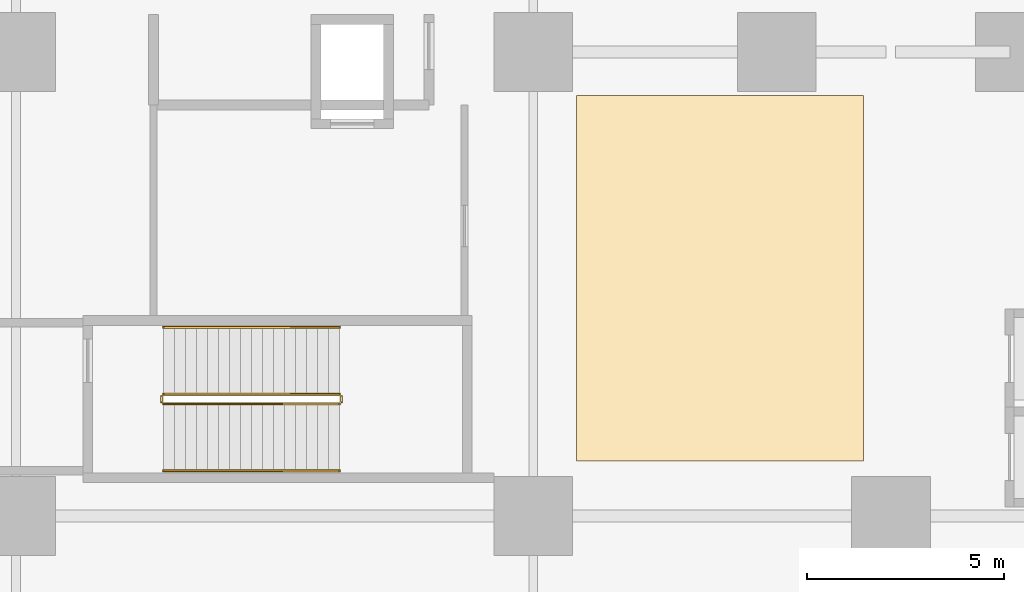
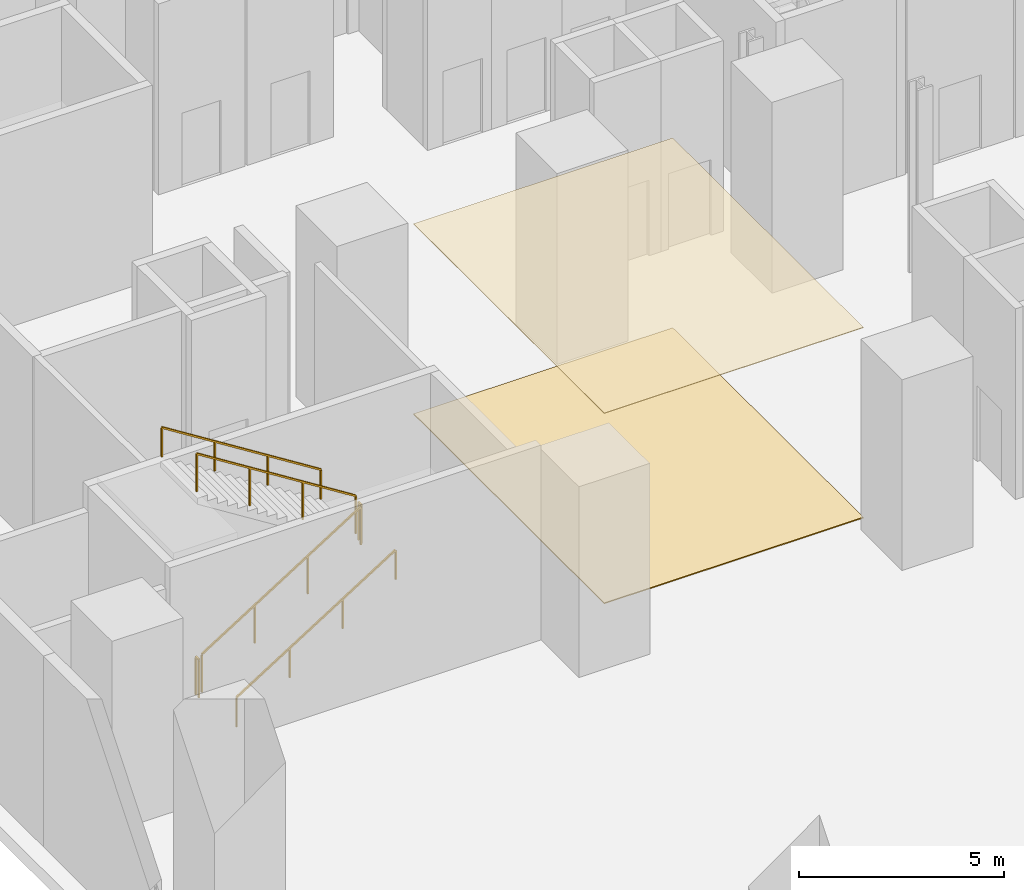
# One storey, part 19 of 25: 6 railings, 2 coverings.
"""IFC4 building model written with IfcOpenShell, lengths in metres."""

from ifc_helpers import new_model, si_unit, direction, frame, origin, origin_2d, place, context, subcontext, project, spatial, polyline, rectangle, outline, extrude, source, transform, mapped, material, layer, layer_set, type_object, element, save


model = new_model("IFC4")

# Units and contexts
model_context = context("Model", 3, precision=1e-05, world=origin(), true_north=direction((0.0, 1.0)))
body_context = subcontext(model_context, "Body", "Model", "MODEL_VIEW")
ifc_project = project(units=[si_unit("LENGTHUNIT", "METRE"), si_unit("AREAUNIT", "SQUARE_METRE"), si_unit("VOLUMEUNIT", "CUBIC_METRE"), si_unit("PLANEANGLEUNIT", "RADIAN"), si_unit("MASSUNIT", "GRAM", prefix="KILO")], contexts=[model_context])

# Site, building, storey
site_placement = place(None, origin())
site = spatial("IfcSite", under=ifc_project, at=site_placement, CompositionType="ELEMENT")
building_placement = place(site_placement, origin())
building = spatial("IfcBuilding", under=site, at=building_placement, Name="Vardaveli Station Tower", CompositionType="ELEMENT")
storey_placement = place(building_placement, origin())
storey = spatial("IfcBuildingStorey", under=building, at=storey_placement, Name="L01", CompositionType="ELEMENT", Elevation=0.0)

# Coverings
ifc_material_1 = material(Name="Perforated acoustic mineral ceiling")
ifc_layer_1 = layer(ifc_material_1, 0.02001953125, Name="Perforated acoustic mineral ceiling")
ifc_layer_set_1 = layer_set([ifc_layer_1], Name="Perforated acoustic mineral ceiling")
covering_type_1 = type_object("IfcCoveringType", Name="COV-CEIL-AC20", PredefinedType="CEILING", material=ifc_layer_set_1)
covering_1_placement = place(storey_placement, frame((0.0, 0.0, 5.6650390625)))
element("IfcCovering", 1, at=covering_1_placement, inside=storey, type_object=covering_type_1, Name="CEIL-L01-1", PredefinedType="CEILING", context=body_context, shape_type="SweptSolid", body=[
    extrude(outline(polyline([(17.5, 18.5), (24.800048828125, 18.5), (24.800048828125, 27.800048828125), (17.5, 27.800048828125), (17.5, 18.5)])), origin(), (0.0, 0.0, 1.0), 0.02001953125),
])
ifc_material_2 = material(Name="Honed Caucasian basalt and travertine flooring", Category="masonry")
ifc_layer_2 = layer(ifc_material_2, 0.030029296875, Name="Honed Caucasian basalt and travertine flooring")
ifc_layer_set_2 = layer_set([ifc_layer_2], Name="Honed Caucasian basalt and travertine flooring")
covering_type_2 = type_object("IfcCoveringType", Name="COV-FLOOR-ST30", PredefinedType="FLOORING", material=ifc_layer_set_2)
covering_2_placement = place(storey_placement, origin())
element("IfcCovering", 2, at=covering_2_placement, inside=storey, type_object=covering_type_2, Name="FLR-L01-1", PredefinedType="FLOORING", context=body_context, shape_type="SweptSolid", body=[
    extrude(outline(polyline([(17.5, 18.5), (24.800048828125, 18.5), (24.800048828125, 27.800048828125), (17.5, 27.800048828125), (17.5, 18.5)])), origin(), (0.0, 0.0, 1.0), 0.030029296875),
])

# Railings
ifc_material_3 = material(Name="Brushed AISI 316 stainless steel", Category="steel")
railing_type_1 = type_object("IfcRailingType", Name="RL-GUARD-1150", PredefinedType="GUARDRAIL", material=ifc_material_3)
shared_shape_1 = source(origin(), body_context, "Body", "SweptSolid", [
    extrude(rectangle(XDim=0.048095703125, YDim=0.048095703125, at=origin_2d()), frame((0.0, 0.0, 1.1259765625), z_axis=(0.0, 1.0, 0.0), x_axis=(-1.0, 0.0, 0.0)), (0.0, 0.0, 1.0), 0.14990234375),
    extrude(rectangle(XDim=0.0419921875, YDim=0.0419921875, at=origin_2d()), origin(), (0.0, 0.0, 1.0), 1.101806640625),
    extrude(rectangle(XDim=0.0419921875, YDim=0.0419921875, at=origin_2d()), frame((0.0, 0.14990234375, 0.0)), (0.0, 0.0, 1.0), 1.101806640625),
])
for number, where, name in (
    (3, (11.530029296875, 20.0, 3.0), "L01 ST-S1 stair guard 2"),
    (4, (6.949951171875, 20.0, 0.0), "L01 ST-S1 stair guard 4"),
):
    element("IfcRailing", number, at=place(storey_placement, frame(where)), inside=storey, type_object=railing_type_1, Name=name, PredefinedType="GUARDRAIL", context=body_context, shape_type="MappedRepresentation", body=[
        mapped(shared_shape_1, transform((0.0, 0.0, 0.0), scale=1.0)),
    ])
shared_shape_2 = source(origin(), body_context, "Body", "SweptSolid", [
    extrude(rectangle(XDim=0.048095703125, YDim=0.048095703125, at=origin_2d()), frame((0.0, 0.0, 1.1259765625), z_axis=(0.845997938375, 0.0, 0.533186166611), x_axis=(0.0, 1.0, 0.0)), (0.0, 0.0, 1.0), 5.29541015625),
    extrude(rectangle(XDim=0.0419921875, YDim=0.0419921875, at=origin_2d()), origin(), (0.0, 0.0, 1.0), 1.101806640625),
    extrude(rectangle(XDim=0.0419921875, YDim=0.0419921875, at=origin_2d()), frame((1.493408203125, 0.0, 0.941162109375)), (0.0, 0.0, 1.0), 1.101806640625),
    extrude(rectangle(XDim=0.0419921875, YDim=0.0419921875, at=origin_2d()), frame((2.986572265625, 0.0, 1.88232421875)), (0.0, 0.0, 1.0), 1.101806640625),
    extrude(rectangle(XDim=0.0419921875, YDim=0.0419921875, at=origin_2d()), frame((4.47998046875, 0.0, 2.823486328125)), (0.0, 0.0, 1.0), 1.101806640625),
])
railing_1_placement = place(storey_placement, frame((7.0, 19.949951171875, 0.176513671875)))
element("IfcRailing", 5, at=railing_1_placement, inside=storey, type_object=railing_type_1, Name="L01 ST-S1 stair guard 1", PredefinedType="GUARDRAIL", context=body_context, shape_type="MappedRepresentation", body=[
    mapped(shared_shape_2, transform((0.0, 0.0, 0.0), scale=1.0)),
])
shared_shape_3 = source(origin(), body_context, "Body", "SweptSolid", [
    extrude(rectangle(XDim=0.048095703125, YDim=0.048095703125, at=origin_2d()), frame((0.0, 0.0, 1.1259765625), z_axis=(-0.845997938375, 0.0, 0.533186166611), x_axis=(0.0, -1.0, 0.0)), (0.0, 0.0, 1.0), 5.29541015625),
    extrude(rectangle(XDim=0.0419921875, YDim=0.0419921875, at=origin_2d()), origin(), (0.0, 0.0, 1.0), 1.101806640625),
    extrude(rectangle(XDim=0.0419921875, YDim=0.0419921875, at=origin_2d()), frame((-1.493408203125, 0.0, 0.941162109375)), (0.0, 0.0, 1.0), 1.101806640625),
    extrude(rectangle(XDim=0.0419921875, YDim=0.0419921875, at=origin_2d()), frame((-2.986572265625, 0.0, 1.88232421875)), (0.0, 0.0, 1.0), 1.101806640625),
    extrude(rectangle(XDim=0.0419921875, YDim=0.0419921875, at=origin_2d()), frame((-4.47998046875, 0.0, 2.823486328125)), (0.0, 0.0, 1.0), 1.101806640625),
])
railing_2_placement = place(storey_placement, frame((11.47998046875, 20.199951171875, 3.176513671875)))
element("IfcRailing", 6, at=railing_2_placement, inside=storey, type_object=railing_type_1, Name="L01 ST-S1 stair guard 3", PredefinedType="GUARDRAIL", context=body_context, shape_type="MappedRepresentation", body=[
    mapped(shared_shape_3, transform((0.0, 0.0, 0.0), scale=1.0)),
])
railing_type_2 = type_object("IfcRailingType", Name="RL-HAND-900", PredefinedType="HANDRAIL", material=ifc_material_3)
shared_shape_4 = source(origin(), body_context, "Body", "SweptSolid", [
    extrude(rectangle(XDim=0.048095703125, YDim=0.048095703125, at=origin_2d()), frame((0.0, 0.0, 0.8759765625), z_axis=(0.845997938375, 0.0, 0.533186166611), x_axis=(0.0, 1.0, 0.0)), (0.0, 0.0, 1.0), 5.29541015625),
    extrude(rectangle(XDim=0.0419921875, YDim=0.0419921875, at=origin_2d()), origin(), (0.0, 0.0, 1.0), 0.851806640625),
    extrude(rectangle(XDim=0.0419921875, YDim=0.0419921875, at=origin_2d()), frame((1.493408203125, 0.0, 0.941162109375)), (0.0, 0.0, 1.0), 0.851806640625),
    extrude(rectangle(XDim=0.0419921875, YDim=0.0419921875, at=origin_2d()), frame((2.986572265625, 0.0, 1.88232421875)), (0.0, 0.0, 1.0), 0.851806640625),
    extrude(rectangle(XDim=0.0419921875, YDim=0.0419921875, at=origin_2d()), frame((4.47998046875, 0.0, 2.823486328125)), (0.0, 0.0, 1.0), 0.851806640625),
])
railing_3_placement = place(storey_placement, frame((7.0, 18.25, 0.176513671875)))
element("IfcRailing", 7, at=railing_3_placement, inside=storey, type_object=railing_type_2, Name="L01 ST-S1 stair handrail 1", PredefinedType="HANDRAIL", context=body_context, shape_type="MappedRepresentation", body=[
    mapped(shared_shape_4, transform((0.0, 0.0, 0.0), scale=1.0)),
])
shared_shape_5 = source(origin(), body_context, "Body", "SweptSolid", [
    extrude(rectangle(XDim=0.048095703125, YDim=0.048095703125, at=origin_2d()), frame((0.0, 0.0, 0.8759765625), z_axis=(-0.845997938375, 0.0, 0.533186166611), x_axis=(0.0, -1.0, 0.0)), (0.0, 0.0, 1.0), 5.29541015625),
    extrude(rectangle(XDim=0.0419921875, YDim=0.0419921875, at=origin_2d()), origin(), (0.0, 0.0, 1.0), 0.851806640625),
    extrude(rectangle(XDim=0.0419921875, YDim=0.0419921875, at=origin_2d()), frame((-1.493408203125, 0.0, 0.941162109375)), (0.0, 0.0, 1.0), 0.851806640625),
    extrude(rectangle(XDim=0.0419921875, YDim=0.0419921875, at=origin_2d()), frame((-2.986572265625, 0.0, 1.88232421875)), (0.0, 0.0, 1.0), 0.851806640625),
    extrude(rectangle(XDim=0.0419921875, YDim=0.0419921875, at=origin_2d()), frame((-4.47998046875, 0.0, 2.823486328125)), (0.0, 0.0, 1.0), 0.851806640625),
])
railing_4_placement = place(storey_placement, frame((11.47998046875, 21.89990234375, 3.176513671875)))
element("IfcRailing", 8, at=railing_4_placement, inside=storey, type_object=railing_type_2, Name="L01 ST-S1 stair handrail 2", PredefinedType="HANDRAIL", context=body_context, shape_type="MappedRepresentation", body=[
    mapped(shared_shape_5, transform((0.0, 0.0, 0.0), scale=1.0)),
])

save(model, "model.ifc")
